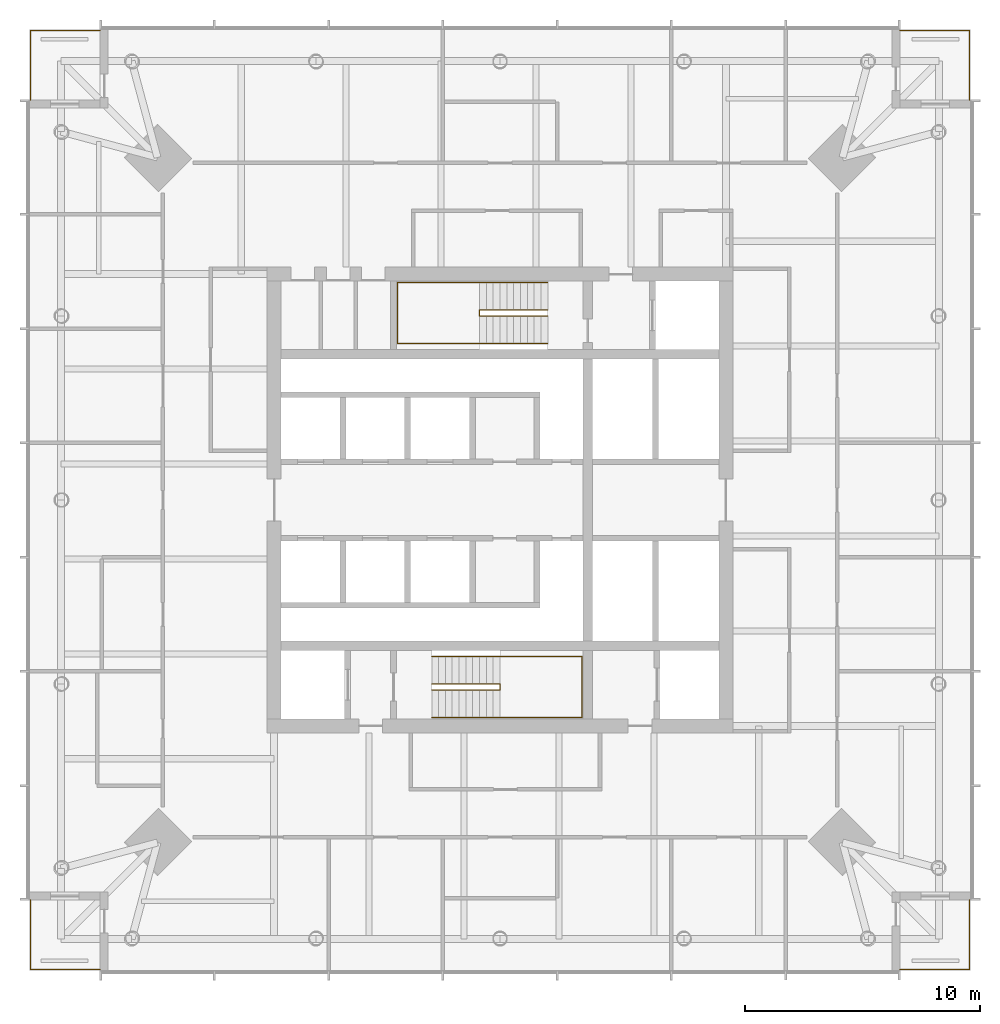
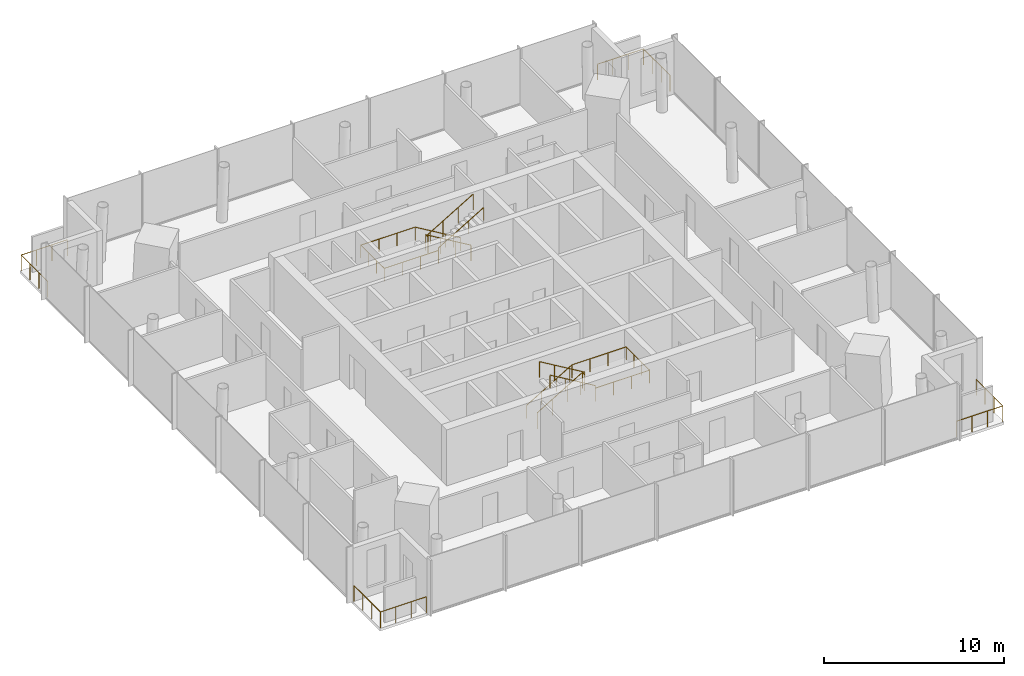
# One storey, part 7 of 7: 8 railings.
"""IFC4 building model written with IfcOpenShell, lengths in metres."""

from ifc_helpers import new_model, si_unit, direction, frame, origin, origin_2d, place, context, subcontext, project, spatial, circle, extrude, material, type_object, element, save


model = new_model("IFC4")

# Units and contexts
model_context = context("Model", 3, precision=1e-05, world=origin(), true_north=direction((0.0, 1.0)))
body_context = subcontext(model_context, "Body", "Model", "MODEL_VIEW")
ifc_project = project(units=[si_unit("LENGTHUNIT", "METRE"), si_unit("AREAUNIT", "SQUARE_METRE"), si_unit("VOLUMEUNIT", "CUBIC_METRE"), si_unit("PLANEANGLEUNIT", "RADIAN"), si_unit("MASSUNIT", "GRAM", prefix="KILO")], contexts=[model_context])

# Site, building, storey
site_placement = place(None, origin())
site = spatial("IfcSite", under=ifc_project, at=site_placement, CompositionType="ELEMENT")
building_placement = place(site_placement, origin())
building = spatial("IfcBuilding", under=site, at=building_placement, Name="Ostroluk Exchange", CompositionType="ELEMENT")
storey_placement = place(building_placement, frame((0.0, 0.0, 188.199951171875)))
storey = spatial("IfcBuildingStorey", under=building, at=storey_placement, Name="L48", CompositionType="ELEMENT", Elevation=188.199951171875)

# Railings
ifc_material_1 = material(Name="Stainless steel", Category="steel")
railing_type_1 = type_object("IfcRailingType", Name="Guard 1100 stainless steel", PredefinedType="GUARDRAIL", material=ifc_material_1)
railing_1_placement = place(storey_placement, frame((62.0, 26.050048828125, 0.0)))
element("IfcRailing", 1, at=railing_1_placement, inside=storey, type_object=railing_type_1, Name="Office tower SE balcony guard L48", PredefinedType="GUARDRAIL", context=body_context, shape_type="SweptSolid", body=[
    extrude(circle(Radius=0.02392578125, at=origin_2d()), frame((0.0, 0.0, 1.076171875), z_axis=(1.0, 0.0, 0.0), x_axis=(0.0, 1.0, 0.0)), (0.0, 0.0, 1.0), 2.949951171875),
    extrude(circle(Radius=0.02392578125, at=origin_2d()), frame((2.949951171875, 0.0, 1.076171875), z_axis=(0.0, 1.0, 0.0), x_axis=(-1.0, 0.0, 0.0)), (0.0, 0.0, 1.0), 2.949951171875),
    extrude(circle(Radius=0.02099609375, at=origin_2d()), origin(), (0.0, 0.0, 1.0), 1.052001953125),
    extrude(circle(Radius=0.02099609375, at=origin_2d()), frame((0.9833984375, 0.0, 0.0)), (0.0, 0.0, 1.0), 1.052001953125),
    extrude(circle(Radius=0.02099609375, at=origin_2d()), frame((1.966552734375, 0.0, 0.0)), (0.0, 0.0, 1.0), 1.052001953125),
    extrude(circle(Radius=0.02099609375, at=origin_2d()), frame((2.949951171875, 0.0, 0.0)), (0.0, 0.0, 1.0), 1.052001953125),
    extrude(circle(Radius=0.02099609375, at=origin_2d()), frame((2.949951171875, 0.9833984375, 0.0)), (0.0, 0.0, 1.0), 1.052001953125),
    extrude(circle(Radius=0.02099609375, at=origin_2d()), frame((2.949951171875, 1.966552734375, 0.0)), (0.0, 0.0, 1.0), 1.052001953125),
    extrude(circle(Radius=0.02099609375, at=origin_2d()), frame((2.949951171875, 2.949951171875, 0.0)), (0.0, 0.0, 1.0), 1.052001953125),
])
railing_2_placement = place(storey_placement, frame((62.0, 65.949951171875, 0.0)))
element("IfcRailing", 2, at=railing_2_placement, inside=storey, type_object=railing_type_1, Name="Office tower NE balcony guard L48", PredefinedType="GUARDRAIL", context=body_context, shape_type="SweptSolid", body=[
    extrude(circle(Radius=0.02392578125, at=origin_2d()), frame((0.0, 0.0, 1.076171875), z_axis=(1.0, 0.0, 0.0), x_axis=(0.0, 1.0, 0.0)), (0.0, 0.0, 1.0), 2.949951171875),
    extrude(circle(Radius=0.02392578125, at=origin_2d()), frame((2.949951171875, 0.0, 1.076171875), z_axis=(0.0, -1.0, 0.0), x_axis=(1.0, 0.0, 0.0)), (0.0, 0.0, 1.0), 2.949951171875),
    extrude(circle(Radius=0.02099609375, at=origin_2d()), origin(), (0.0, 0.0, 1.0), 1.052001953125),
    extrude(circle(Radius=0.02099609375, at=origin_2d()), frame((0.9833984375, 0.0, 0.0)), (0.0, 0.0, 1.0), 1.052001953125),
    extrude(circle(Radius=0.02099609375, at=origin_2d()), frame((1.966552734375, 0.0, 0.0)), (0.0, 0.0, 1.0), 1.052001953125),
    extrude(circle(Radius=0.02099609375, at=origin_2d()), frame((2.949951171875, 0.0, 0.0)), (0.0, 0.0, 1.0), 1.052001953125),
    extrude(circle(Radius=0.02099609375, at=origin_2d()), frame((2.949951171875, -0.9833984375, 0.0)), (0.0, 0.0, 1.0), 1.052001953125),
    extrude(circle(Radius=0.02099609375, at=origin_2d()), frame((2.949951171875, -1.966552734375, 0.0)), (0.0, 0.0, 1.0), 1.052001953125),
    extrude(circle(Radius=0.02099609375, at=origin_2d()), frame((2.949951171875, -2.949951171875, 0.0)), (0.0, 0.0, 1.0), 1.052001953125),
])
railing_3_placement = place(storey_placement, frame((28.0, 65.949951171875, 0.0)))
element("IfcRailing", 3, at=railing_3_placement, inside=storey, type_object=railing_type_1, Name="Office tower NW balcony guard L48", PredefinedType="GUARDRAIL", context=body_context, shape_type="SweptSolid", body=[
    extrude(circle(Radius=0.02392578125, at=origin_2d()), frame((0.0, 0.0, 1.076171875), z_axis=(-1.0, 0.0, 0.0), x_axis=(0.0, -1.0, 0.0)), (0.0, 0.0, 1.0), 2.949951171875),
    extrude(circle(Radius=0.02392578125, at=origin_2d()), frame((-2.949951171875, 0.0, 1.076171875), z_axis=(0.0, -1.0, 0.0), x_axis=(1.0, 0.0, 0.0)), (0.0, 0.0, 1.0), 2.949951171875),
    extrude(circle(Radius=0.02099609375, at=origin_2d()), origin(), (0.0, 0.0, 1.0), 1.052001953125),
    extrude(circle(Radius=0.02099609375, at=origin_2d()), frame((-0.9833984375, 0.0, 0.0)), (0.0, 0.0, 1.0), 1.052001953125),
    extrude(circle(Radius=0.02099609375, at=origin_2d()), frame((-1.966552734375, 0.0, 0.0)), (0.0, 0.0, 1.0), 1.052001953125),
    extrude(circle(Radius=0.02099609375, at=origin_2d()), frame((-2.949951171875, 0.0, 0.0)), (0.0, 0.0, 1.0), 1.052001953125),
    extrude(circle(Radius=0.02099609375, at=origin_2d()), frame((-2.949951171875, -0.9833984375, 0.0)), (0.0, 0.0, 1.0), 1.052001953125),
    extrude(circle(Radius=0.02099609375, at=origin_2d()), frame((-2.949951171875, -1.966552734375, 0.0)), (0.0, 0.0, 1.0), 1.052001953125),
    extrude(circle(Radius=0.02099609375, at=origin_2d()), frame((-2.949951171875, -2.949951171875, 0.0)), (0.0, 0.0, 1.0), 1.052001953125),
])
railing_4_placement = place(storey_placement, frame((28.0, 26.050048828125, 0.0)))
element("IfcRailing", 4, at=railing_4_placement, inside=storey, type_object=railing_type_1, Name="Office tower SW balcony guard L48", PredefinedType="GUARDRAIL", context=body_context, shape_type="SweptSolid", body=[
    extrude(circle(Radius=0.02392578125, at=origin_2d()), frame((0.0, 0.0, 1.076171875), z_axis=(-1.0, 0.0, 0.0), x_axis=(0.0, -1.0, 0.0)), (0.0, 0.0, 1.0), 2.949951171875),
    extrude(circle(Radius=0.02392578125, at=origin_2d()), frame((-2.949951171875, 0.0, 1.076171875), z_axis=(0.0, 1.0, 0.0), x_axis=(-1.0, 0.0, 0.0)), (0.0, 0.0, 1.0), 2.949951171875),
    extrude(circle(Radius=0.02099609375, at=origin_2d()), origin(), (0.0, 0.0, 1.0), 1.052001953125),
    extrude(circle(Radius=0.02099609375, at=origin_2d()), frame((-0.9833984375, 0.0, 0.0)), (0.0, 0.0, 1.0), 1.052001953125),
    extrude(circle(Radius=0.02099609375, at=origin_2d()), frame((-1.966552734375, 0.0, 0.0)), (0.0, 0.0, 1.0), 1.052001953125),
    extrude(circle(Radius=0.02099609375, at=origin_2d()), frame((-2.949951171875, 0.0, 0.0)), (0.0, 0.0, 1.0), 1.052001953125),
    extrude(circle(Radius=0.02099609375, at=origin_2d()), frame((-2.949951171875, 0.9833984375, 0.0)), (0.0, 0.0, 1.0), 1.052001953125),
    extrude(circle(Radius=0.02099609375, at=origin_2d()), frame((-2.949951171875, 1.966552734375, 0.0)), (0.0, 0.0, 1.0), 1.052001953125),
    extrude(circle(Radius=0.02099609375, at=origin_2d()), frame((-2.949951171875, 2.949951171875, 0.0)), (0.0, 0.0, 1.0), 1.052001953125),
])
ifc_material_2 = material(Name="Steel S355", Category="steel")
railing_type_2 = type_object("IfcRailingType", Name="Stair guard 1100", PredefinedType="GUARDRAIL", material=ifc_material_2)
railing_5_placement = place(storey_placement, frame((42.10009765625, 38.179931640625, 0.1728515625)))
element("IfcRailing", 5, at=railing_5_placement, inside=storey, type_object=railing_type_2, Name="Stair T1-S1 guard L48", PredefinedType="GUARDRAIL", context=body_context, shape_type="SweptSolid", body=[
    extrude(circle(Radius=0.02392578125, at=origin_2d()), frame((0.0, 0.0, 1.076171875), z_axis=(0.859141464434, 0.0, 0.511738159696), x_axis=(0.0, 1.0, 0.0)), (0.0, 0.0, 1.0), 3.375244140625),
    extrude(circle(Radius=0.02392578125, at=origin_2d()), frame((2.89990234375, 0.0, 2.80322265625), z_axis=(0.0, -1.0, 0.0), x_axis=(1.0, 0.0, 0.0)), (0.0, 0.0, 1.0), 0.260009765625),
    extrude(circle(Radius=0.02392578125, at=origin_2d()), frame((2.89990234375, -0.260009765625, 2.80322265625), z_axis=(0.0, 0.0, 1.0), x_axis=(1.0, 0.0, 0.0)), (0.0, 0.0, 1.0), 0.172607421875),
    extrude(circle(Radius=0.02392578125, at=origin_2d()), frame((2.89990234375, -0.260009765625, 2.97607421875), z_axis=(-0.859141464434, 0.0, 0.511738159696), x_axis=(0.0, -1.0, 0.0)), (0.0, 0.0, 1.0), 3.375244140625),
    extrude(circle(Radius=0.02099609375, at=origin_2d()), origin(), (0.0, 0.0, 1.0), 1.052001953125),
    extrude(circle(Radius=0.02099609375, at=origin_2d()), frame((0.966552734375, 0.0, 0.57568359375)), (0.0, 0.0, 1.0), 1.052001953125),
    extrude(circle(Radius=0.02099609375, at=origin_2d()), frame((1.933349609375, 0.0, 1.151611328125)), (0.0, 0.0, 1.0), 1.052001953125),
    extrude(circle(Radius=0.02099609375, at=origin_2d()), frame((2.89990234375, 0.0, 1.727294921875)), (0.0, 0.0, 1.0), 1.052001953125),
    extrude(circle(Radius=0.02099609375, at=origin_2d()), frame((2.89990234375, -0.260009765625, 1.727294921875)), (0.0, 0.0, 1.0), 1.052001953125),
    extrude(circle(Radius=0.02099609375, at=origin_2d()), frame((2.89990234375, -0.260009765625, 1.89990234375)), (0.0, 0.0, 1.0), 1.052001953125),
    extrude(circle(Radius=0.02099609375, at=origin_2d()), frame((1.933349609375, -0.260009765625, 2.4755859375)), (0.0, 0.0, 1.0), 1.052001953125),
    extrude(circle(Radius=0.02099609375, at=origin_2d()), frame((0.966552734375, -0.260009765625, 3.051513671875)), (0.0, 0.0, 1.0), 1.052001953125),
    extrude(circle(Radius=0.02099609375, at=origin_2d()), frame((0.0, -0.260009765625, 3.627197265625)), (0.0, 0.0, 1.0), 1.052001953125),
])
railing_6_placement = place(storey_placement, frame((47.030029296875, 54.080078125, 0.1728515625)))
element("IfcRailing", 6, at=railing_6_placement, inside=storey, type_object=railing_type_2, Name="Stair T1-S2 guard L48", PredefinedType="GUARDRAIL", context=body_context, shape_type="SweptSolid", body=[
    extrude(circle(Radius=0.02392578125, at=origin_2d()), frame((0.0, 0.0, 1.076171875), z_axis=(-0.859160404282, 0.0, 0.51170636083), x_axis=(0.0, -1.0, 0.0)), (0.0, 0.0, 1.0), 3.37548828125),
    extrude(circle(Radius=0.02392578125, at=origin_2d()), frame((-2.900146484375, 0.0, 2.80322265625), z_axis=(0.0, -1.0, 0.0), x_axis=(1.0, 0.0, 0.0)), (0.0, 0.0, 1.0), 0.260009765625),
    extrude(circle(Radius=0.02392578125, at=origin_2d()), frame((-2.900146484375, -0.260009765625, 2.80322265625), z_axis=(0.0, 0.0, 1.0), x_axis=(1.0, 0.0, 0.0)), (0.0, 0.0, 1.0), 0.172607421875),
    extrude(circle(Radius=0.02392578125, at=origin_2d()), frame((-2.900146484375, -0.260009765625, 2.97607421875), z_axis=(0.859160404282, 0.0, 0.51170636083), x_axis=(0.0, 1.0, 0.0)), (0.0, 0.0, 1.0), 3.37548828125),
    extrude(circle(Radius=0.02099609375, at=origin_2d()), origin(), (0.0, 0.0, 1.0), 1.052001953125),
    extrude(circle(Radius=0.02099609375, at=origin_2d()), frame((-0.966796875, 0.0, 0.57568359375)), (0.0, 0.0, 1.0), 1.052001953125),
    extrude(circle(Radius=0.02099609375, at=origin_2d()), frame((-1.933349609375, 0.0, 1.151611328125)), (0.0, 0.0, 1.0), 1.052001953125),
    extrude(circle(Radius=0.02099609375, at=origin_2d()), frame((-2.900146484375, 0.0, 1.727294921875)), (0.0, 0.0, 1.0), 1.052001953125),
    extrude(circle(Radius=0.02099609375, at=origin_2d()), frame((-2.900146484375, -0.260009765625, 1.727294921875)), (0.0, 0.0, 1.0), 1.052001953125),
    extrude(circle(Radius=0.02099609375, at=origin_2d()), frame((-2.900146484375, -0.260009765625, 1.89990234375)), (0.0, 0.0, 1.0), 1.052001953125),
    extrude(circle(Radius=0.02099609375, at=origin_2d()), frame((-1.933349609375, -0.260009765625, 2.4755859375)), (0.0, 0.0, 1.0), 1.052001953125),
    extrude(circle(Radius=0.02099609375, at=origin_2d()), frame((-0.966796875, -0.260009765625, 3.051513671875)), (0.0, 0.0, 1.0), 1.052001953125),
    extrude(circle(Radius=0.02099609375, at=origin_2d()), frame((0.0, -0.260009765625, 3.627197265625)), (0.0, 0.0, 1.0), 1.052001953125),
])
ifc_material_3 = material(Name="Stainless steel", Category="steel")
railing_type_3 = type_object("IfcRailingType", Name="Stair handrail 900", PredefinedType="HANDRAIL", material=ifc_material_3)
railing_7_placement = place(storey_placement, frame((42.10009765625, 39.35009765625, 0.1728515625)))
element("IfcRailing", 7, at=railing_7_placement, inside=storey, type_object=railing_type_3, Name="Stair T1-S1 handrail L48", PredefinedType="HANDRAIL", context=body_context, shape_type="SweptSolid", body=[
    extrude(circle(Radius=0.02392578125, at=origin_2d()), frame((0.0, 0.0, 0.8759765625), z_axis=(0.859141464434, 0.0, 0.511738159696), x_axis=(0.0, 1.0, 0.0)), (0.0, 0.0, 1.0), 3.375244140625),
    extrude(circle(Radius=0.02392578125, at=origin_2d()), frame((2.89990234375, 0.0, 2.60302734375), z_axis=(1.0, 0.0, 0.0), x_axis=(0.0, 1.0, 0.0)), (0.0, 0.0, 1.0), 3.47998046875),
    extrude(circle(Radius=0.02392578125, at=origin_2d()), frame((6.3798828125, 0.0, 2.60302734375), z_axis=(0.0, -1.0, 0.0), x_axis=(1.0, 0.0, 0.0)), (0.0, 0.0, 1.0), 2.60009765625),
    extrude(circle(Radius=0.02392578125, at=origin_2d()), frame((6.3798828125, -2.60009765625, 2.60302734375), z_axis=(-1.0, 0.0, 0.0), x_axis=(0.0, -1.0, 0.0)), (0.0, 0.0, 1.0), 3.47998046875),
    extrude(circle(Radius=0.02392578125, at=origin_2d()), frame((2.89990234375, -2.60009765625, 2.60302734375), z_axis=(0.0, 0.0, 1.0), x_axis=(1.0, 0.0, 0.0)), (0.0, 0.0, 1.0), 0.172607421875),
    extrude(circle(Radius=0.02392578125, at=origin_2d()), frame((2.89990234375, -2.60009765625, 2.77587890625), z_axis=(-0.859141464434, 0.0, 0.511738159696), x_axis=(0.0, -1.0, 0.0)), (0.0, 0.0, 1.0), 3.375244140625),
    extrude(circle(Radius=0.02099609375, at=origin_2d()), origin(), (0.0, 0.0, 1.0), 0.851806640625),
    extrude(circle(Radius=0.02099609375, at=origin_2d()), frame((0.966552734375, 0.0, 0.57568359375)), (0.0, 0.0, 1.0), 0.851806640625),
    extrude(circle(Radius=0.02099609375, at=origin_2d()), frame((1.933349609375, 0.0, 1.151611328125)), (0.0, 0.0, 1.0), 0.851806640625),
    extrude(circle(Radius=0.02099609375, at=origin_2d()), frame((2.89990234375, 0.0, 1.727294921875)), (0.0, 0.0, 1.0), 0.851806640625),
    extrude(circle(Radius=0.02099609375, at=origin_2d()), frame((4.059814453125, 0.0, 1.727294921875)), (0.0, 0.0, 1.0), 0.851806640625),
    extrude(circle(Radius=0.02099609375, at=origin_2d()), frame((5.219970703125, 0.0, 1.727294921875)), (0.0, 0.0, 1.0), 0.851806640625),
    extrude(circle(Radius=0.02099609375, at=origin_2d()), frame((6.3798828125, 0.0, 1.727294921875)), (0.0, 0.0, 1.0), 0.851806640625),
    extrude(circle(Radius=0.02099609375, at=origin_2d()), frame((6.3798828125, -0.86669921875, 1.727294921875)), (0.0, 0.0, 1.0), 0.851806640625),
    extrude(circle(Radius=0.02099609375, at=origin_2d()), frame((6.3798828125, -1.7333984375, 1.727294921875)), (0.0, 0.0, 1.0), 0.851806640625),
    extrude(circle(Radius=0.02099609375, at=origin_2d()), frame((6.3798828125, -2.60009765625, 1.727294921875)), (0.0, 0.0, 1.0), 0.851806640625),
    extrude(circle(Radius=0.02099609375, at=origin_2d()), frame((5.219970703125, -2.60009765625, 1.727294921875)), (0.0, 0.0, 1.0), 0.851806640625),
    extrude(circle(Radius=0.02099609375, at=origin_2d()), frame((4.059814453125, -2.60009765625, 1.727294921875)), (0.0, 0.0, 1.0), 0.851806640625),
    extrude(circle(Radius=0.02099609375, at=origin_2d()), frame((2.89990234375, -2.60009765625, 1.727294921875)), (0.0, 0.0, 1.0), 0.851806640625),
    extrude(circle(Radius=0.02099609375, at=origin_2d()), frame((2.89990234375, -2.60009765625, 1.89990234375)), (0.0, 0.0, 1.0), 0.851806640625),
    extrude(circle(Radius=0.02099609375, at=origin_2d()), frame((1.933349609375, -2.60009765625, 2.4755859375)), (0.0, 0.0, 1.0), 0.851806640625),
    extrude(circle(Radius=0.02099609375, at=origin_2d()), frame((0.966552734375, -2.60009765625, 3.051513671875)), (0.0, 0.0, 1.0), 0.851806640625),
    extrude(circle(Radius=0.02099609375, at=origin_2d()), frame((0.0, -2.60009765625, 3.627197265625)), (0.0, 0.0, 1.0), 0.851806640625),
])
railing_8_placement = place(storey_placement, frame((47.030029296875, 55.25, 0.1728515625)))
element("IfcRailing", 8, at=railing_8_placement, inside=storey, type_object=railing_type_3, Name="Stair T1-S2 handrail L48", PredefinedType="HANDRAIL", context=body_context, shape_type="SweptSolid", body=[
    extrude(circle(Radius=0.02392578125, at=origin_2d()), frame((0.0, 0.0, 0.8759765625), z_axis=(-0.859160404282, 0.0, 0.51170636083), x_axis=(0.0, -1.0, 0.0)), (0.0, 0.0, 1.0), 3.37548828125),
    extrude(circle(Radius=0.02392578125, at=origin_2d()), frame((-2.900146484375, 0.0, 2.60302734375), z_axis=(-1.0, 0.0, 0.0), x_axis=(0.0, -1.0, 0.0)), (0.0, 0.0, 1.0), 3.47998046875),
    extrude(circle(Radius=0.02392578125, at=origin_2d()), frame((-6.380126953125, 0.0, 2.60302734375), z_axis=(0.0, -1.0, 0.0), x_axis=(1.0, 0.0, 0.0)), (0.0, 0.0, 1.0), 2.60009765625),
    extrude(circle(Radius=0.02392578125, at=origin_2d()), frame((-6.380126953125, -2.60009765625, 2.60302734375), z_axis=(1.0, 0.0, 0.0), x_axis=(0.0, 1.0, 0.0)), (0.0, 0.0, 1.0), 3.47998046875),
    extrude(circle(Radius=0.02392578125, at=origin_2d()), frame((-2.900146484375, -2.60009765625, 2.60302734375), z_axis=(0.0, 0.0, 1.0), x_axis=(1.0, 0.0, 0.0)), (0.0, 0.0, 1.0), 0.172607421875),
    extrude(circle(Radius=0.02392578125, at=origin_2d()), frame((-2.900146484375, -2.60009765625, 2.77587890625), z_axis=(0.859160404282, 0.0, 0.51170636083), x_axis=(0.0, 1.0, 0.0)), (0.0, 0.0, 1.0), 3.37548828125),
    extrude(circle(Radius=0.02099609375, at=origin_2d()), origin(), (0.0, 0.0, 1.0), 0.851806640625),
    extrude(circle(Radius=0.02099609375, at=origin_2d()), frame((-0.966796875, 0.0, 0.57568359375)), (0.0, 0.0, 1.0), 0.851806640625),
    extrude(circle(Radius=0.02099609375, at=origin_2d()), frame((-1.933349609375, 0.0, 1.151611328125)), (0.0, 0.0, 1.0), 0.851806640625),
    extrude(circle(Radius=0.02099609375, at=origin_2d()), frame((-2.900146484375, 0.0, 1.727294921875)), (0.0, 0.0, 1.0), 0.851806640625),
    extrude(circle(Radius=0.02099609375, at=origin_2d()), frame((-4.06005859375, 0.0, 1.727294921875)), (0.0, 0.0, 1.0), 0.851806640625),
    extrude(circle(Radius=0.02099609375, at=origin_2d()), frame((-5.22021484375, 0.0, 1.727294921875)), (0.0, 0.0, 1.0), 0.851806640625),
    extrude(circle(Radius=0.02099609375, at=origin_2d()), frame((-6.380126953125, 0.0, 1.727294921875)), (0.0, 0.0, 1.0), 0.851806640625),
    extrude(circle(Radius=0.02099609375, at=origin_2d()), frame((-6.380126953125, -0.86669921875, 1.727294921875)), (0.0, 0.0, 1.0), 0.851806640625),
    extrude(circle(Radius=0.02099609375, at=origin_2d()), frame((-6.380126953125, -1.7333984375, 1.727294921875)), (0.0, 0.0, 1.0), 0.851806640625),
    extrude(circle(Radius=0.02099609375, at=origin_2d()), frame((-6.380126953125, -2.60009765625, 1.727294921875)), (0.0, 0.0, 1.0), 0.851806640625),
    extrude(circle(Radius=0.02099609375, at=origin_2d()), frame((-5.22021484375, -2.60009765625, 1.727294921875)), (0.0, 0.0, 1.0), 0.851806640625),
    extrude(circle(Radius=0.02099609375, at=origin_2d()), frame((-4.06005859375, -2.60009765625, 1.727294921875)), (0.0, 0.0, 1.0), 0.851806640625),
    extrude(circle(Radius=0.02099609375, at=origin_2d()), frame((-2.900146484375, -2.60009765625, 1.727294921875)), (0.0, 0.0, 1.0), 0.851806640625),
    extrude(circle(Radius=0.02099609375, at=origin_2d()), frame((-2.900146484375, -2.60009765625, 1.89990234375)), (0.0, 0.0, 1.0), 0.851806640625),
    extrude(circle(Radius=0.02099609375, at=origin_2d()), frame((-1.933349609375, -2.60009765625, 2.4755859375)), (0.0, 0.0, 1.0), 0.851806640625),
    extrude(circle(Radius=0.02099609375, at=origin_2d()), frame((-0.966796875, -2.60009765625, 3.051513671875)), (0.0, 0.0, 1.0), 0.851806640625),
    extrude(circle(Radius=0.02099609375, at=origin_2d()), frame((0.0, -2.60009765625, 3.627197265625)), (0.0, 0.0, 1.0), 0.851806640625),
])

save(model, "model.ifc")
